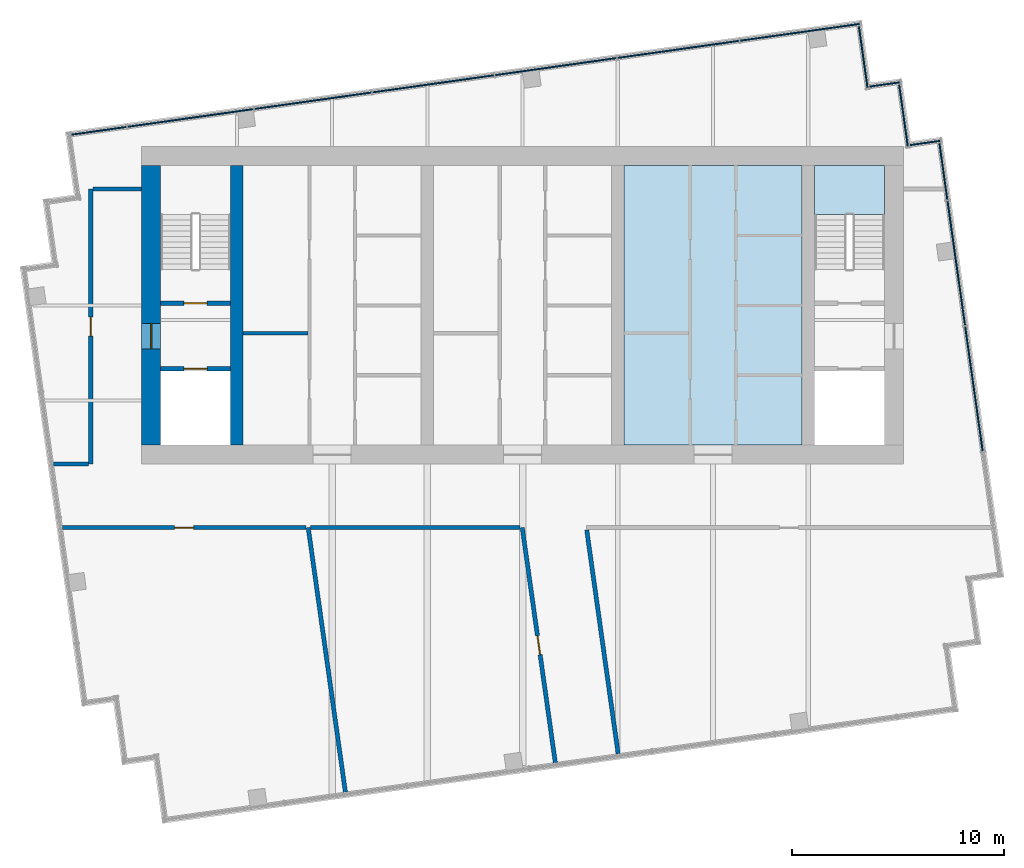
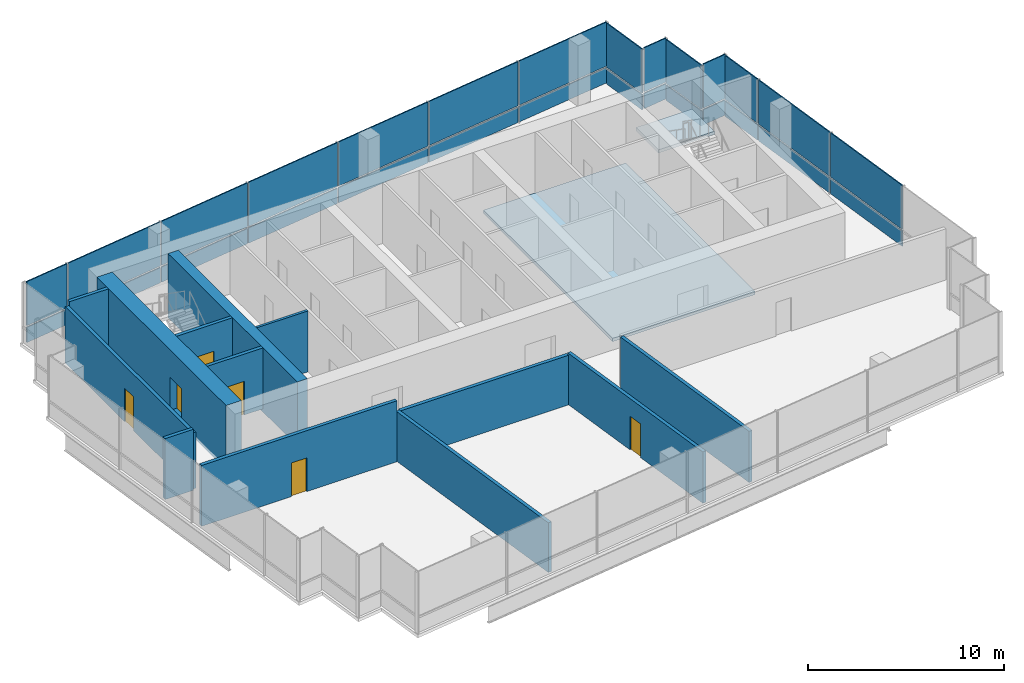
# One storey, part 7 of 10: 28 plates, 13 walls, 6 doors, 2 slabs, 6 openings, 7 elements without a shape of their own.
"""IFC4 building model written with IfcOpenShell, lengths in metres."""

from ifc_helpers import new_model, si_unit, direction, frame, frame_2d, origin, origin_2d, place, context, subcontext, project, spatial, polyline, rectangle, outline, extrude, material, layer, layer_set, type_object, element, fill, aggregate, save


model = new_model("IFC4")

# Units and contexts
model_context = context("Model", 3, precision=1e-05, world=origin(), true_north=direction((0.0, 1.0)))
body_context = subcontext(model_context, "Body", "Model", "MODEL_VIEW")
ifc_project = project(units=[si_unit("LENGTHUNIT", "METRE"), si_unit("AREAUNIT", "SQUARE_METRE"), si_unit("VOLUMEUNIT", "CUBIC_METRE"), si_unit("PLANEANGLEUNIT", "RADIAN"), si_unit("MASSUNIT", "GRAM", prefix="KILO")], contexts=[model_context])

# Site, building, storey
site_placement = place(None, origin())
site = spatial("IfcSite", under=ifc_project, at=site_placement, CompositionType="ELEMENT")
building_placement = place(site_placement, origin())
building = spatial("IfcBuilding", under=site, at=building_placement, Name="Rattan Terrace Tower", CompositionType="ELEMENT")
storey_placement = place(building_placement, frame((0.0, 0.0, 300.300048828125)))
storey = spatial("IfcBuildingStorey", under=building, at=storey_placement, Name="C03", CompositionType="ELEMENT", Elevation=300.300048828125)

# Stair, slab
ifc_material_1 = material(Name="Concrete C40/50", Category="concrete")
stair_type = type_object("IfcStairType", Name="Core exit stair 1500", PredefinedType="HALF_TURN_STAIR", material=ifc_material_1)
stair_placement = place(storey_placement, origin())
stair = element("IfcStair", 1, at=stair_placement, inside=storey, type_object=stair_type, Name="C03 exit stair 2", PredefinedType="HALF_TURN_STAIR")
ifc_material_2 = material(Name="Concrete C40/50", Category="concrete")
ifc_layer_1 = layer(ifc_material_2, 0.199951171875)
ifc_layer_set_1 = layer_set([ifc_layer_1], Name="Core exit stair landing")
slab_type_1 = type_object("IfcSlabType", Name="Core exit stair landing", PredefinedType="LANDING", material=ifc_layer_set_1)
slab_1_placement = place(storey_placement, frame((0.0, 0.0, 1.800048828125)))
slab_1 = element("IfcSlab", 2, at=slab_1_placement, type_object=slab_type_1, Name="S2 landing 1", PredefinedType="LANDING", context=body_context, shape_type="SweptSolid", body=[
    extrude(outline(polyline([(17.10009765625, 4.300048828125), (17.10009765625, 6.60009765625), (13.800048828125, 6.60009765625), (13.800048828125, 4.300048828125), (17.10009765625, 4.300048828125)])), origin(), (0.0, 0.0, 1.0), 0.199951171875),
])
aggregate(stair, [slab_1])

# Slab
ifc_material_3 = material(Name="Concrete C35/45", Category="concrete")
ifc_layer_2 = layer(ifc_material_3, 0.199951171875)
ifc_layer_set_2 = layer_set([ifc_layer_2], Name="Frame composite floor slab 200")
slab_type_2 = type_object("IfcSlabType", Name="Frame composite floor slab 200", PredefinedType="FLOOR", material=ifc_layer_set_2)
slab_2_placement = place(storey_placement, frame((0.0, 0.0, -0.199951171875)))
element("IfcSlab", 3, at=slab_2_placement, inside=storey, type_object=slab_type_2, Name="Floor slab", PredefinedType="FLOOR", context=body_context, shape_type="SweptSolid", body=[
    extrude(outline(polyline([(4.800048828125, -6.60009765625), (13.199951171875, -6.60009765625), (13.199951171875, 6.60009765625), (4.800048828125, 6.60009765625), (4.800048828125, -6.60009765625)])), origin(), (0.0, 0.0, 1.0), 0.199951171875),
])

# Curtain wall, plates
ifc_material_4 = material(Name="Aluminium and laminated glass", Category="aluminium")
ifc_layer_3 = layer(ifc_material_4, 0.239990234375)
ifc_layer_set_3 = layer_set([ifc_layer_3], Name="Lantern Stick Curtain Wall")
curtain_wall_type = type_object("IfcCurtainWallType", Name="Lantern Stick Curtain Wall", PredefinedType="NOTDEFINED", material=ifc_layer_set_3)
curtain_wall_1_placement = place(storey_placement, origin())
curtain_wall_1 = element("IfcCurtainWall", 4, at=curtain_wall_1_placement, inside=storey, type_object=curtain_wall_type, Name="Lantern curtain wall C03-11", PredefinedType="NOTDEFINED")
ifc_material_5 = material(Name="Laminated low-iron glass", Category="glass")
ifc_layer_4 = layer(ifc_material_5, 0.06591796875)
ifc_layer_set_4 = layer_set([ifc_layer_4], Name="Lantern CW Laminated Panel")
plate_type = type_object("IfcPlateType", Name="Lantern CW Laminated Panel", PredefinedType="CURTAIN_PANEL", material=ifc_layer_set_4)
plate_1_placement = place(storey_placement, frame((21.325927734375, -3.9482421875, 0.0), z_axis=(0.0, 0.0, 1.0), x_axis=(-0.139187707455, 0.990266015823, 0.0)))
plate_1 = element("IfcPlate", 5, at=plate_1_placement, type_object=plate_type, Name="Panel cwl-C03-011.2.1", PredefinedType="CURTAIN_PANEL", context=body_context, shape_type="SweptSolid", body=[
    extrude(rectangle(XDim=5.929931640625, YDim=0.06591796875, at=origin_2d()), origin(), (0.0, 0.0, 1.0), 0.949951171875),
])
plate_2_placement = place(storey_placement, frame((21.325927734375, -3.9482421875, 1.050048828125), z_axis=(0.0, 0.0, 1.0), x_axis=(-0.139187707455, 0.990266015823, 0.0)))
plate_2 = element("IfcPlate", 6, at=plate_2_placement, type_object=plate_type, Name="Panel cwl-C03-011.2.2", PredefinedType="CURTAIN_PANEL", context=body_context, shape_type="SweptSolid", body=[
    extrude(rectangle(XDim=5.929931640625, YDim=0.06591796875, at=origin_2d()), origin(), (0.0, 0.0, 1.0), 2.75),
])
plate_3_placement = place(storey_placement, frame((20.49072265625, 1.993408203125, 0.0), z_axis=(0.0, 0.0, 1.0), x_axis=(-0.139187707455, 0.990266015823, 0.0)))
plate_3 = element("IfcPlate", 7, at=plate_3_placement, type_object=plate_type, Name="Panel cwl-C03-011.3.1", PredefinedType="CURTAIN_PANEL", context=body_context, shape_type="SweptSolid", body=[
    extrude(rectangle(XDim=5.929931640625, YDim=0.06591796875, at=origin_2d()), origin(), (0.0, 0.0, 1.0), 0.949951171875),
])
plate_4_placement = place(storey_placement, frame((20.49072265625, 1.993408203125, 1.050048828125), z_axis=(0.0, 0.0, 1.0), x_axis=(-0.139187707455, 0.990266015823, 0.0)))
plate_4 = element("IfcPlate", 8, at=plate_4_placement, type_object=plate_type, Name="Panel cwl-C03-011.3.2", PredefinedType="CURTAIN_PANEL", context=body_context, shape_type="SweptSolid", body=[
    extrude(rectangle(XDim=5.929931640625, YDim=0.06591796875, at=origin_2d()), origin(), (0.0, 0.0, 1.0), 2.75),
])
plate_5_placement = place(storey_placement, frame((19.88232421875, 6.323486328125, 0.0), z_axis=(0.0, 0.0, 1.0), x_axis=(-0.139187707455, 0.990266015823, 0.0)))
plate_5 = element("IfcPlate", 9, at=plate_5_placement, type_object=plate_type, Name="Panel cwl-C03-011.4.1", PredefinedType="CURTAIN_PANEL", context=body_context, shape_type="SweptSolid", body=[
    extrude(rectangle(XDim=2.67529296875, YDim=0.06591796875, at=origin_2d()), origin(), (0.0, 0.0, 1.0), 0.949951171875),
])
plate_6_placement = place(storey_placement, frame((19.88232421875, 6.323486328125, 1.050048828125), z_axis=(0.0, 0.0, 1.0), x_axis=(-0.139187707455, 0.990266015823, 0.0)))
plate_6 = element("IfcPlate", 10, at=plate_6_placement, type_object=plate_type, Name="Panel cwl-C03-011.4.2", PredefinedType="CURTAIN_PANEL", context=body_context, shape_type="SweptSolid", body=[
    extrude(rectangle(XDim=2.67529296875, YDim=0.06591796875, at=origin_2d()), origin(), (0.0, 0.0, 1.0), 2.75),
])
aggregate(curtain_wall_1, [plate_1, plate_2, plate_3, plate_4, plate_5, plate_6])

curtain_wall_2_placement = place(storey_placement, origin())
curtain_wall_2 = element("IfcCurtainWall", 11, at=curtain_wall_2_placement, inside=storey, type_object=curtain_wall_type, Name="Lantern curtain wall C03-12", PredefinedType="NOTDEFINED")
plate_7_placement = place(storey_placement, frame((19.021484375, 7.67431640625, 0.0), z_axis=(0.0, 0.0, 1.0), x_axis=(-0.990227803001, -0.139459306479, 0.0)))
plate_7 = element("IfcPlate", 12, at=plate_7_placement, type_object=plate_type, Name="Panel cwl-C03-012.1.1", PredefinedType="CURTAIN_PANEL", context=body_context, shape_type="SweptSolid", body=[
    extrude(rectangle(XDim=1.428466796875, YDim=0.06591796875, at=origin_2d()), origin(), (0.0, 0.0, 1.0), 0.949951171875),
])
plate_8_placement = place(storey_placement, frame((19.021484375, 7.67431640625, 1.050048828125), z_axis=(0.0, 0.0, 1.0), x_axis=(-0.990227803001, -0.139459306479, 0.0)))
plate_8 = element("IfcPlate", 13, at=plate_8_placement, type_object=plate_type, Name="Panel cwl-C03-012.1.2", PredefinedType="CURTAIN_PANEL", context=body_context, shape_type="SweptSolid", body=[
    extrude(rectangle(XDim=1.428466796875, YDim=0.06591796875, at=origin_2d()), origin(), (0.0, 0.0, 1.0), 2.75),
])
aggregate(curtain_wall_2, [plate_7, plate_8])

curtain_wall_3_placement = place(storey_placement, origin())
curtain_wall_3 = element("IfcCurtainWall", 14, at=curtain_wall_3_placement, inside=storey, type_object=curtain_wall_type, Name="Lantern curtain wall C03-13", PredefinedType="NOTDEFINED")
plate_9_placement = place(storey_placement, frame((17.997802734375, 8.96044921875, 0.0), z_axis=(0.0, 0.0, 1.0), x_axis=(-0.139555918709, 0.990214191755, 0.0)))
plate_9 = element("IfcPlate", 15, at=plate_9_placement, type_object=plate_type, Name="Panel cwl-C03-013.1.1", PredefinedType="CURTAIN_PANEL", context=body_context, shape_type="SweptSolid", body=[
    extrude(rectangle(XDim=2.932373046875, YDim=0.06591796875, at=origin_2d()), origin(), (0.0, 0.0, 1.0), 0.949951171875),
])
plate_10_placement = place(storey_placement, frame((17.997802734375, 8.96044921875, 1.050048828125), z_axis=(0.0, 0.0, 1.0), x_axis=(-0.139555918709, 0.990214191755, 0.0)))
plate_10 = element("IfcPlate", 16, at=plate_10_placement, type_object=plate_type, Name="Panel cwl-C03-013.1.2", PredefinedType="CURTAIN_PANEL", context=body_context, shape_type="SweptSolid", body=[
    extrude(rectangle(XDim=2.932373046875, YDim=0.06591796875, at=origin_2d()), origin(), (0.0, 0.0, 1.0), 2.75),
])
aggregate(curtain_wall_3, [plate_9, plate_10])

curtain_wall_4_placement = place(storey_placement, origin())
curtain_wall_4 = element("IfcCurtainWall", 17, at=curtain_wall_4_placement, inside=storey, type_object=curtain_wall_type, Name="Lantern curtain wall C03-14", PredefinedType="NOTDEFINED")
plate_11_placement = place(storey_placement, frame((17.11865234375, 10.43896484375, 0.0), z_axis=(0.0, 0.0, 1.0), x_axis=(-0.990319742912, -0.13880492354, 0.0)))
plate_11 = element("IfcPlate", 18, at=plate_11_placement, type_object=plate_type, Name="Panel cwl-C03-014.1.1", PredefinedType="CURTAIN_PANEL", context=body_context, shape_type="SweptSolid", body=[
    extrude(rectangle(XDim=1.428466796875, YDim=0.06591796875, at=origin_2d()), origin(), (0.0, 0.0, 1.0), 0.949951171875),
])
plate_12_placement = place(storey_placement, frame((17.11865234375, 10.43896484375, 1.050048828125), z_axis=(0.0, 0.0, 1.0), x_axis=(-0.990319742912, -0.13880492354, 0.0)))
plate_12 = element("IfcPlate", 19, at=plate_12_placement, type_object=plate_type, Name="Panel cwl-C03-014.1.2", PredefinedType="CURTAIN_PANEL", context=body_context, shape_type="SweptSolid", body=[
    extrude(rectangle(XDim=1.428466796875, YDim=0.06591796875, at=origin_2d()), origin(), (0.0, 0.0, 1.0), 2.75),
])
aggregate(curtain_wall_4, [plate_11, plate_12])

curtain_wall_5_placement = place(storey_placement, origin())
curtain_wall_5 = element("IfcCurtainWall", 20, at=curtain_wall_5_placement, inside=storey, type_object=curtain_wall_type, Name="Lantern curtain wall C03-15", PredefinedType="NOTDEFINED")
plate_13_placement = place(storey_placement, frame((16.09521484375, 11.723388671875, 0.0), z_axis=(0.0, 0.0, 1.0), x_axis=(-0.139413247769, 0.990234288614, 0.0)))
plate_13 = element("IfcPlate", 21, at=plate_13_placement, type_object=plate_type, Name="Panel cwl-C03-015.1.1", PredefinedType="CURTAIN_PANEL", context=body_context, shape_type="SweptSolid", body=[
    extrude(rectangle(XDim=2.92822265625, YDim=0.06591796875, at=origin_2d()), origin(), (0.0, 0.0, 1.0), 0.949951171875),
])
plate_14_placement = place(storey_placement, frame((16.09521484375, 11.723388671875, 1.050048828125), z_axis=(0.0, 0.0, 1.0), x_axis=(-0.139413247769, 0.990234288614, 0.0)))
plate_14 = element("IfcPlate", 22, at=plate_14_placement, type_object=plate_type, Name="Panel cwl-C03-015.1.2", PredefinedType="CURTAIN_PANEL", context=body_context, shape_type="SweptSolid", body=[
    extrude(rectangle(XDim=2.92822265625, YDim=0.06591796875, at=origin_2d()), origin(), (0.0, 0.0, 1.0), 2.75),
])
aggregate(curtain_wall_5, [plate_13, plate_14])

curtain_wall_6_placement = place(storey_placement, origin())
curtain_wall_6 = element("IfcCurtainWall", 23, at=curtain_wall_6_placement, inside=storey, type_object=curtain_wall_type, Name="Lantern curtain wall C03-16", PredefinedType="NOTDEFINED")
plate_15_placement = place(storey_placement, frame((13.10595703125, 12.90283203125, 0.0), z_axis=(0.0, 0.0, 1.0), x_axis=(-0.990266952226, -0.13918104515, 0.0)))
plate_15 = element("IfcPlate", 24, at=plate_15_placement, type_object=plate_type, Name="Panel cwl-C03-016.1.1", PredefinedType="CURTAIN_PANEL", context=body_context, shape_type="SweptSolid", body=[
    extrude(rectangle(XDim=5.69091796875, YDim=0.06591796875, at=origin_2d()), origin(), (0.0, 0.0, 1.0), 0.949951171875),
])
plate_16_placement = place(storey_placement, frame((13.10595703125, 12.90283203125, 1.050048828125), z_axis=(0.0, 0.0, 1.0), x_axis=(-0.990266952226, -0.13918104515, 0.0)))
plate_16 = element("IfcPlate", 25, at=plate_16_placement, type_object=plate_type, Name="Panel cwl-C03-016.1.2", PredefinedType="CURTAIN_PANEL", context=body_context, shape_type="SweptSolid", body=[
    extrude(rectangle(XDim=5.69091796875, YDim=0.06591796875, at=origin_2d()), origin(), (0.0, 0.0, 1.0), 2.75),
])
plate_17_placement = place(storey_placement, frame((7.359130859375, 12.09521484375, 0.0), z_axis=(0.0, 0.0, 1.0), x_axis=(-0.990266952226, -0.13918104515, 0.0)))
plate_17 = element("IfcPlate", 26, at=plate_17_placement, type_object=plate_type, Name="Panel cwl-C03-016.2.1", PredefinedType="CURTAIN_PANEL", context=body_context, shape_type="SweptSolid", body=[
    extrude(rectangle(XDim=5.77587890625, YDim=0.06591796875, at=origin_2d()), origin(), (0.0, 0.0, 1.0), 0.949951171875),
])
plate_18_placement = place(storey_placement, frame((7.359130859375, 12.09521484375, 1.050048828125), z_axis=(0.0, 0.0, 1.0), x_axis=(-0.990266952226, -0.13918104515, 0.0)))
plate_18 = element("IfcPlate", 27, at=plate_18_placement, type_object=plate_type, Name="Panel cwl-C03-016.2.2", PredefinedType="CURTAIN_PANEL", context=body_context, shape_type="SweptSolid", body=[
    extrude(rectangle(XDim=5.77587890625, YDim=0.06591796875, at=origin_2d()), origin(), (0.0, 0.0, 1.0), 2.75),
])
plate_19_placement = place(storey_placement, frame((1.570068359375, 11.281494140625, 0.0), z_axis=(0.0, 0.0, 1.0), x_axis=(-0.990266952226, -0.13918104515, 0.0)))
plate_19 = element("IfcPlate", 28, at=plate_19_placement, type_object=plate_type, Name="Panel cwl-C03-016.3.1", PredefinedType="CURTAIN_PANEL", context=body_context, shape_type="SweptSolid", body=[
    extrude(rectangle(XDim=5.77587890625, YDim=0.06591796875, at=origin_2d()), origin(), (0.0, 0.0, 1.0), 0.949951171875),
])
plate_20_placement = place(storey_placement, frame((1.570068359375, 11.281494140625, 1.050048828125), z_axis=(0.0, 0.0, 1.0), x_axis=(-0.990266952226, -0.13918104515, 0.0)))
plate_20 = element("IfcPlate", 29, at=plate_20_placement, type_object=plate_type, Name="Panel cwl-C03-016.3.2", PredefinedType="CURTAIN_PANEL", context=body_context, shape_type="SweptSolid", body=[
    extrude(rectangle(XDim=5.77587890625, YDim=0.06591796875, at=origin_2d()), origin(), (0.0, 0.0, 1.0), 2.75),
])
plate_21_placement = place(storey_placement, frame((-4.21923828125, 10.4677734375, 0.0), z_axis=(0.0, 0.0, 1.0), x_axis=(-0.990266952226, -0.13918104515, 0.0)))
plate_21 = element("IfcPlate", 30, at=plate_21_placement, type_object=plate_type, Name="Panel cwl-C03-016.4.1", PredefinedType="CURTAIN_PANEL", context=body_context, shape_type="SweptSolid", body=[
    extrude(rectangle(XDim=5.77587890625, YDim=0.06591796875, at=origin_2d()), origin(), (0.0, 0.0, 1.0), 0.949951171875),
])
plate_22_placement = place(storey_placement, frame((-4.21923828125, 10.4677734375, 1.050048828125), z_axis=(0.0, 0.0, 1.0), x_axis=(-0.990266952226, -0.13918104515, 0.0)))
plate_22 = element("IfcPlate", 31, at=plate_22_placement, type_object=plate_type, Name="Panel cwl-C03-016.4.2", PredefinedType="CURTAIN_PANEL", context=body_context, shape_type="SweptSolid", body=[
    extrude(rectangle(XDim=5.77587890625, YDim=0.06591796875, at=origin_2d()), origin(), (0.0, 0.0, 1.0), 2.75),
])
plate_23_placement = place(storey_placement, frame((-9.900634765625, 9.66943359375, 0.0), z_axis=(0.0, 0.0, 1.0), x_axis=(-0.990266952226, -0.13918104515, 0.0)))
plate_23 = element("IfcPlate", 32, at=plate_23_placement, type_object=plate_type, Name="Panel cwl-C03-016.5.1", PredefinedType="CURTAIN_PANEL", context=body_context, shape_type="SweptSolid", body=[
    extrude(rectangle(XDim=5.55859375, YDim=0.06591796875, at=origin_2d()), origin(), (0.0, 0.0, 1.0), 0.949951171875),
])
plate_24_placement = place(storey_placement, frame((-9.900634765625, 9.66943359375, 1.050048828125), z_axis=(0.0, 0.0, 1.0), x_axis=(-0.990266952226, -0.13918104515, 0.0)))
plate_24 = element("IfcPlate", 33, at=plate_24_placement, type_object=plate_type, Name="Panel cwl-C03-016.5.2", PredefinedType="CURTAIN_PANEL", context=body_context, shape_type="SweptSolid", body=[
    extrude(rectangle(XDim=5.55859375, YDim=0.06591796875, at=origin_2d()), origin(), (0.0, 0.0, 1.0), 2.75),
])
plate_25_placement = place(storey_placement, frame((-15.689697265625, 8.855712890625, 0.0), z_axis=(0.0, 0.0, 1.0), x_axis=(-0.990266952226, -0.13918104515, 0.0)))
plate_25 = element("IfcPlate", 34, at=plate_25_placement, type_object=plate_type, Name="Panel cwl-C03-016.6.1", PredefinedType="CURTAIN_PANEL", context=body_context, shape_type="SweptSolid", body=[
    extrude(rectangle(XDim=5.993408203125, YDim=0.06591796875, at=origin_2d()), origin(), (0.0, 0.0, 1.0), 0.949951171875),
])
plate_26_placement = place(storey_placement, frame((-15.689697265625, 8.855712890625, 1.050048828125), z_axis=(0.0, 0.0, 1.0), x_axis=(-0.990266952226, -0.13918104515, 0.0)))
plate_26 = element("IfcPlate", 35, at=plate_26_placement, type_object=plate_type, Name="Panel cwl-C03-016.6.2", PredefinedType="CURTAIN_PANEL", context=body_context, shape_type="SweptSolid", body=[
    extrude(rectangle(XDim=5.993408203125, YDim=0.06591796875, at=origin_2d()), origin(), (0.0, 0.0, 1.0), 2.75),
])
plate_27_placement = place(storey_placement, frame((-20.013916015625, 8.248046875, 0.0), z_axis=(0.0, 0.0, 1.0), x_axis=(-0.990266952226, -0.13918104515, 0.0)))
plate_27 = element("IfcPlate", 36, at=plate_27_placement, type_object=plate_type, Name="Panel cwl-C03-016.7.1", PredefinedType="CURTAIN_PANEL", context=body_context, shape_type="SweptSolid", body=[
    extrude(rectangle(XDim=2.599853515625, YDim=0.06591796875, at=origin_2d()), origin(), (0.0, 0.0, 1.0), 0.949951171875),
])
plate_28_placement = place(storey_placement, frame((-20.013916015625, 8.248046875, 1.050048828125), z_axis=(0.0, 0.0, 1.0), x_axis=(-0.990266952226, -0.13918104515, 0.0)))
plate_28 = element("IfcPlate", 37, at=plate_28_placement, type_object=plate_type, Name="Panel cwl-C03-016.7.2", PredefinedType="CURTAIN_PANEL", context=body_context, shape_type="SweptSolid", body=[
    extrude(rectangle(XDim=2.599853515625, YDim=0.06591796875, at=origin_2d()), origin(), (0.0, 0.0, 1.0), 2.75),
])
aggregate(curtain_wall_6, [plate_15, plate_16, plate_17, plate_18, plate_19, plate_20, plate_21, plate_22, plate_23, plate_24, plate_25, plate_26, plate_27, plate_28])

# Wall
ifc_material_6 = material(Name="Gypsum board partition")
ifc_layer_5 = layer(ifc_material_6, 0.14990234375)
ifc_layer_set_5 = layer_set([ifc_layer_5], Name="Core partition 150")
wall_type_1 = type_object("IfcWallType", Name="Core partition 150", PredefinedType="PARTITIONING", material=ifc_layer_set_5)
wall_1_placement = place(storey_placement, frame((-13.199951171875, -1.320068359375, 0.0), z_axis=(0.0, 0.0, 1.0), x_axis=(1.0, 0.0, 0.0)))
element("IfcWall", 38, at=wall_1_placement, inside=storey, type_object=wall_type_1, Name="Core room wall", PredefinedType="PARTITIONING", context=body_context, shape_type="SweptSolid", body=[
    extrude(rectangle(XDim=3.050048828125, YDim=0.14990234375, at=frame_2d((1.52490234375, 0.0))), origin(), (0.0, 0.0, 1.0), 3.800048828125),
])

# Wall, opening, door
ifc_material_7 = material(Name="Gypsum board partition")
ifc_layer_6 = layer(ifc_material_7, 0.199951171875)
ifc_layer_set_6 = layer_set([ifc_layer_6], Name="Core partition 200")
wall_type_2 = type_object("IfcWallType", Name="Core partition 200", PredefinedType="PARTITIONING", material=ifc_layer_set_6)
wall_2_placement = place(storey_placement, frame((-17.10009765625, -3.0, 0.0), z_axis=(0.0, 0.0, 1.0), x_axis=(1.0, 0.0, 0.0)))
wall_2 = element("IfcWall", 39, at=wall_2_placement, inside=storey, type_object=wall_type_2, Name="Fire-fighting lobby wall", PredefinedType="PARTITIONING", context=body_context, shape_type="SweptSolid", body=[
    extrude(rectangle(XDim=3.300048828125, YDim=0.199951171875, at=frame_2d((1.64990234375, 0.0))), origin(), (0.0, 0.0, 1.0), 3.800048828125),
])
opening_1_placement = place(wall_2_placement, frame((1.10009765625, 0.0, 0.0)))
opening_1 = element("IfcOpeningElement", 40, at=opening_1_placement, cuts=wall_2, Name="Opening C03-LD-FF1", PredefinedType="OPENING", context=body_context, shape_type="SweptSolid", body=[
    extrude(rectangle(XDim=1.10009765625, YDim=2.10009765625, at=frame_2d((0.550048828125, 1.050048828125))), frame((0.0, 0.110595703125, 0.0), z_axis=(0.0, -1.0, 0.0), x_axis=(1.0, 0.0, 0.0)), (0.0, 0.0, 1.0), 0.220947265625),
])
ifc_material_8 = material(Name="Brushed stainless landing door panel")
door_type_1 = type_object("IfcDoorType", Name="Core lift landing door 1100", OperationType="DOUBLE_DOOR_SLIDING", PredefinedType="DOOR", material=ifc_material_8)
door_1_placement = place(opening_1_placement, origin())
door_1 = element("IfcDoor", 41, at=door_1_placement, inside=storey, type_object=door_type_1, Name="Door C03-LD-FF1", OperationType="DOUBLE_DOOR_SLIDING", OverallHeight=2.10009765625, OverallWidth=1.10009765625, PredefinedType="DOOR", context=body_context, shape_type="SweptSolid", body=[
    extrude(rectangle(XDim=1.10009765625, YDim=2.10009765625, at=frame_2d((0.550048828125, 1.050048828125))), frame((0.0, 0.02490234375, 0.0), z_axis=(0.0, -1.0, 0.0), x_axis=(1.0, 0.0, 0.0)), (0.0, 0.0, 1.0), 0.050048828125),
])
fill(opening_1, door_1)

wall_3_placement = place(storey_placement, frame((-17.10009765625, 0.10009765625, 0.0), z_axis=(0.0, 0.0, 1.0), x_axis=(1.0, 0.0, 0.0)))
wall_3 = element("IfcWall", 42, at=wall_3_placement, inside=storey, type_object=wall_type_2, Name="Stair enclosure wall", PredefinedType="PARTITIONING", context=body_context, shape_type="SweptSolid", body=[
    extrude(rectangle(XDim=3.300048828125, YDim=0.199951171875, at=frame_2d((1.64990234375, 0.0))), origin(), (0.0, 0.0, 1.0), 3.800048828125),
])
opening_2_placement = place(wall_3_placement, frame((1.10009765625, 0.0, 0.0)))
opening_2 = element("IfcOpeningElement", 43, at=opening_2_placement, cuts=wall_3, Name="Opening C03-D002", PredefinedType="OPENING", context=body_context, shape_type="SweptSolid", body=[
    extrude(rectangle(XDim=1.10009765625, YDim=2.10009765625, at=frame_2d((0.550048828125, 1.050048828125))), frame((0.0, 0.110595703125, 0.0), z_axis=(0.0, -1.0, 0.0), x_axis=(1.0, 0.0, 0.0)), (0.0, 0.0, 1.0), 0.220947265625),
])
ifc_material_9 = material(Name="Hollow-metal fire door leaf")
door_type_2 = type_object("IfcDoorType", Name="Core stair door 1100", OperationType="NOTDEFINED", PredefinedType="DOOR", material=ifc_material_9)
door_2_placement = place(opening_2_placement, origin())
door_2 = element("IfcDoor", 44, at=door_2_placement, inside=storey, type_object=door_type_2, Name="Door C03-D002", OperationType="SINGLE_SWING_RIGHT", OverallHeight=2.10009765625, OverallWidth=1.10009765625, PredefinedType="DOOR", context=body_context, shape_type="SweptSolid", body=[
    extrude(rectangle(XDim=1.10009765625, YDim=2.10009765625, at=frame_2d((0.550048828125, 1.050048828125))), frame((0.0, 0.02490234375, 0.0), z_axis=(0.0, -1.0, 0.0), x_axis=(1.0, 0.0, 0.0)), (0.0, 0.0, 1.0), 0.050048828125),
])
fill(opening_2, door_2)

ifc_material_10 = material(Name="Concrete C50/60", Category="concrete")
ifc_layer_7 = layer(ifc_material_10, 0.89990234375)
ifc_layer_set_7 = layer_set([ifc_layer_7], Name="Core ring wall 900 C50/60")
wall_type_3 = type_object("IfcWallType", Name="Core ring wall 900 C50/60", PredefinedType="SHEAR", material=ifc_layer_set_7)
wall_4_placement = place(storey_placement, frame((-17.550048828125, -6.60009765625, -0.199951171875), z_axis=(0.0, 0.0, 1.0), x_axis=(0.0, 1.0, 0.0)))
wall_4 = element("IfcWall", 45, at=wall_4_placement, inside=storey, type_object=wall_type_3, Name="Rear core wall west", PredefinedType="SHEAR", context=body_context, shape_type="SweptSolid", body=[
    extrude(rectangle(XDim=13.2001953125, YDim=0.89990234375, at=frame_2d((6.60009765625, 0.0))), origin(), (0.0, 0.0, 1.0), 4.0),
])
opening_3_placement = place(wall_4_placement, frame((4.550048828125, 0.0, 0.199951171875)))
opening_3 = element("IfcOpeningElement", 46, at=opening_3_placement, cuts=wall_4, Name="Opening C03-D001", PredefinedType="OPENING", context=body_context, shape_type="SweptSolid", body=[
    extrude(rectangle(XDim=1.199951171875, YDim=2.10009765625, at=frame_2d((0.60009765625, 1.050048828125))), frame((0.0, 0.46044921875, 0.0), z_axis=(0.0, -1.0, 0.0), x_axis=(1.0, 0.0, 0.0)), (0.0, 0.0, 1.0), 0.9208984375),
])
ifc_material_11 = material(Name="Hollow-metal fire door leaf")
door_type_3 = type_object("IfcDoorType", Name="Core fire-fighting lobby door 1200", OperationType="NOTDEFINED", PredefinedType="DOOR", material=ifc_material_11)
door_3_placement = place(opening_3_placement, origin())
door_3 = element("IfcDoor", 47, at=door_3_placement, inside=storey, type_object=door_type_3, Name="Door C03-D001", OperationType="SINGLE_SWING_LEFT", OverallHeight=2.10009765625, OverallWidth=1.199951171875, PredefinedType="DOOR", context=body_context, shape_type="SweptSolid", body=[
    extrude(rectangle(XDim=1.199951171875, YDim=2.10009765625, at=frame_2d((0.60009765625, 1.050048828125))), frame((0.0, 0.02490234375, 0.0), z_axis=(0.0, -1.0, 0.0), x_axis=(1.0, 0.0, 0.0)), (0.0, 0.0, 1.0), 0.050048828125),
])
fill(opening_3, door_3)

# Wall
ifc_material_12 = material(Name="Concrete C50/60", Category="concrete")
ifc_layer_8 = layer(ifc_material_12, 0.60009765625)
ifc_layer_set_8 = layer_set([ifc_layer_8], Name="Core spine wall 600 C50/60")
wall_type_4 = type_object("IfcWallType", Name="Core spine wall 600 C50/60", PredefinedType="SHEAR", material=ifc_layer_set_8)
wall_5_placement = place(storey_placement, frame((-13.5, -6.60009765625, -0.199951171875), z_axis=(0.0, 0.0, 1.0), x_axis=(0.0, 1.0, 0.0)))
element("IfcWall", 48, at=wall_5_placement, inside=storey, type_object=wall_type_4, Name="Core spine wall 1", PredefinedType="SHEAR", context=body_context, shape_type="SweptSolid", body=[
    extrude(rectangle(XDim=13.2001953125, YDim=0.60009765625, at=frame_2d((6.60009765625, 0.0))), origin(), (0.0, 0.0, 1.0), 4.0),
])

# Wall, opening, door
ifc_material_13 = material(Name="Concrete block wall, plastered", Category="concrete")
ifc_layer_9 = layer(ifc_material_13, 0.199951171875)
ifc_layer_set_9 = layer_set([ifc_layer_9], Name="Floors Plant Wall 200")
wall_type_5 = type_object("IfcWallType", Name="Floors Plant Wall 200", PredefinedType="PARTITIONING", material=ifc_layer_set_9)
wall_6_placement = place(storey_placement, frame((-10.22802734375, -10.5, 0.0), z_axis=(0.0, 0.0, 1.0), x_axis=(-1.0, 0.0, 0.0)))
wall_6 = element("IfcWall", 49, at=wall_6_placement, inside=storey, type_object=wall_type_5, Name="pt-C03-001", PredefinedType="PARTITIONING", context=body_context, shape_type="SweptSolid", body=[
    extrude(rectangle(XDim=11.52197265625, YDim=0.199951171875, at=frame_2d((5.760986328125, 0.0))), origin(), (0.0, 0.0, 1.0), 3.800048828125),
])
opening_4_placement = place(wall_6_placement, frame((5.31103515625, 0.0, 0.0)))
opening_4 = element("IfcOpeningElement", 50, at=opening_4_placement, cuts=wall_6, Name="Opening C03-D100", PredefinedType="OPENING", context=body_context, shape_type="SweptSolid", body=[
    extrude(rectangle(XDim=0.89990234375, YDim=2.10009765625, at=frame_2d((0.449951171875, 1.050048828125))), frame((0.0, 0.110595703125, 0.0), z_axis=(0.0, -1.0, 0.0), x_axis=(1.0, 0.0, 0.0)), (0.0, 0.0, 1.0), 0.220947265625),
])
ifc_material_14 = material(Name="Steel fire door set", Category="steel")
door_type_4 = type_object("IfcDoorType", Name="Floors Fire Door FD60 900x2100", OperationType="NOTDEFINED", PredefinedType="DOOR", material=ifc_material_14)
door_4_placement = place(opening_4_placement, origin())
door_4 = element("IfcDoor", 51, at=door_4_placement, inside=storey, type_object=door_type_4, Name="d-C03-100", OperationType="SINGLE_SWING_LEFT", OverallHeight=2.10009765625, OverallWidth=0.89990234375, PredefinedType="DOOR", context=body_context, shape_type="SweptSolid", body=[
    extrude(rectangle(XDim=0.89990234375, YDim=2.10009765625, at=frame_2d((0.449951171875, 1.050048828125))), frame((0.0, 0.02490234375, 0.0), z_axis=(0.0, -1.0, 0.0), x_axis=(1.0, 0.0, 0.0)), (0.0, 0.0, 1.0), 0.050048828125),
])
fill(opening_4, door_4)

# Wall
wall_7_placement = place(storey_placement, frame((-0.114013671875, -10.5, 0.0), z_axis=(0.0, 0.0, 1.0), x_axis=(-1.0, 0.0, 0.0)))
element("IfcWall", 52, at=wall_7_placement, inside=storey, type_object=wall_type_5, Name="pt-C03-002", PredefinedType="PARTITIONING", context=body_context, shape_type="SweptSolid", body=[
    extrude(rectangle(XDim=9.89990234375, YDim=0.199951171875, at=frame_2d((4.949951171875, 0.0))), origin(), (0.0, 0.0, 1.0), 3.099853515625),
])

# Wall, opening, door
wall_8_placement = place(storey_placement, frame((1.547119140625, -21.611083984375, 0.0), z_axis=(0.0, 0.0, 1.0), x_axis=(-0.139212491044, 0.990262532027, 0.0)))
wall_8 = element("IfcWall", 53, at=wall_8_placement, inside=storey, type_object=wall_type_5, Name="pt-C03-003", PredefinedType="PARTITIONING", context=body_context, shape_type="SweptSolid", body=[
    extrude(rectangle(XDim=11.220458984375, YDim=0.199951171875, at=frame_2d((5.6103515625, 0.0))), origin(), (0.0, 0.0, 1.0), 3.199951171875),
])
opening_5_placement = place(wall_8_placement, frame((5.159912109375, 0.0, 0.0)))
opening_5 = element("IfcOpeningElement", 54, at=opening_5_placement, cuts=wall_8, Name="Opening C03-D101", PredefinedType="OPENING", context=body_context, shape_type="SweptSolid", body=[
    extrude(rectangle(XDim=0.89990234375, YDim=2.10009765625, at=frame_2d((0.449951171875, 1.050048828125))), frame((0.0, 0.110595703125, 0.0), z_axis=(0.0, -1.0, 0.0), x_axis=(1.0, 0.0, 0.0)), (0.0, 0.0, 1.0), 0.220947265625),
])
door_5_placement = place(opening_5_placement, origin())
door_5 = element("IfcDoor", 55, at=door_5_placement, inside=storey, type_object=door_type_4, Name="d-C03-101", OperationType="SINGLE_SWING_RIGHT", OverallHeight=2.10009765625, OverallWidth=0.89990234375, PredefinedType="DOOR", context=body_context, shape_type="SweptSolid", body=[
    extrude(rectangle(XDim=0.89990234375, YDim=2.10009765625, at=frame_2d((0.449951171875, 1.050048828125))), frame((0.0, 0.02490234375, 0.0), z_axis=(0.0, -1.0, 0.0), x_axis=(1.0, 0.0, 0.0)), (0.0, 0.0, 1.0), 0.050048828125),
])
fill(opening_5, door_5)

# Walls
wall_9_placement = place(storey_placement, frame((3.031005859375, -10.614013671875, 0.0), z_axis=(0.0, 0.0, 1.0), x_axis=(0.139107763668, -0.990277249101, 0.0)))
element("IfcWall", 56, at=wall_9_placement, inside=storey, type_object=wall_type_5, Name="pt-C03-004", PredefinedType="PARTITIONING", context=body_context, shape_type="SweptSolid", body=[
    extrude(rectangle(XDim=10.682861328125, YDim=0.199951171875, at=frame_2d((5.34130859375, 0.0))), origin(), (0.0, 0.0, 1.0), 3.18994140625),
])
wall_10_placement = place(storey_placement, frame((-22.1708984375, -7.5009765625, 0.0), z_axis=(0.0, 0.0, 1.0), x_axis=(1.0, 0.0, 0.0)))
element("IfcWall", 57, at=wall_10_placement, inside=storey, type_object=wall_type_5, Name="pt-C03-006", PredefinedType="PARTITIONING", context=body_context, shape_type="SweptSolid", body=[
    extrude(rectangle(XDim=1.6708984375, YDim=0.199951171875, at=frame_2d((0.83544921875, 0.0))), origin(), (0.0, 0.0, 1.0), 3.800048828125),
])

# Wall, opening, door
wall_11_placement = place(storey_placement, frame((-20.39990234375, -7.5, 0.0), z_axis=(0.0, 0.0, 1.0), x_axis=(0.0, 1.0, 0.0)))
wall_11 = element("IfcWall", 58, at=wall_11_placement, inside=storey, type_object=wall_type_5, Name="pt-C03-007", PredefinedType="PARTITIONING", context=body_context, shape_type="SweptSolid", body=[
    extrude(rectangle(XDim=13.0, YDim=0.199951171875, at=frame_2d((6.5, 0.0))), origin(), (0.0, 0.0, 1.0), 3.5),
])
opening_6_placement = place(wall_11_placement, frame((6.050048828125, 0.0, 0.0)))
opening_6 = element("IfcOpeningElement", 59, at=opening_6_placement, cuts=wall_11, Name="Opening C03-D103", PredefinedType="OPENING", context=body_context, shape_type="SweptSolid", body=[
    extrude(rectangle(XDim=0.89990234375, YDim=2.10009765625, at=frame_2d((0.449951171875, 1.050048828125))), frame((0.0, 0.110595703125, 0.0), z_axis=(0.0, -1.0, 0.0), x_axis=(1.0, 0.0, 0.0)), (0.0, 0.0, 1.0), 0.220947265625),
])
door_6_placement = place(opening_6_placement, origin())
door_6 = element("IfcDoor", 60, at=door_6_placement, inside=storey, type_object=door_type_4, Name="d-C03-103", OperationType="SINGLE_SWING_RIGHT", OverallHeight=2.10009765625, OverallWidth=0.89990234375, PredefinedType="DOOR", context=body_context, shape_type="SweptSolid", body=[
    extrude(rectangle(XDim=0.89990234375, YDim=2.10009765625, at=frame_2d((0.449951171875, 1.050048828125))), frame((0.0, 0.02490234375, 0.0), z_axis=(0.0, -1.0, 0.0), x_axis=(1.0, 0.0, 0.0)), (0.0, 0.0, 1.0), 0.050048828125),
])
fill(opening_6, door_6)

# Walls
wall_12_placement = place(storey_placement, frame((-20.300048828125, 5.5009765625, 0.0), z_axis=(0.0, 0.0, 1.0), x_axis=(1.0, 0.0, 0.0)))
element("IfcWall", 61, at=wall_12_placement, inside=storey, type_object=wall_type_5, Name="pt-C03-008", PredefinedType="PARTITIONING", context=body_context, shape_type="SweptSolid", body=[
    extrude(rectangle(XDim=2.300048828125, YDim=0.199951171875, at=frame_2d((1.14990234375, 0.0))), origin(), (0.0, 0.0, 1.0), 3.800048828125),
])
wall_13_placement = place(storey_placement, frame((-10.12890625, -10.5, 0.0), z_axis=(0.0, 0.0, 1.0), x_axis=(0.139201510054, -0.990264075688, 0.0)))
element("IfcWall", 62, at=wall_13_placement, inside=storey, type_object=wall_type_5, Name="pt-C03-010", PredefinedType="PARTITIONING", context=body_context, shape_type="SweptSolid", body=[
    extrude(rectangle(XDim=12.6279296875, YDim=0.199951171875, at=frame_2d((6.31396484375, 0.0))), origin(), (0.0, 0.0, 1.0), 3.099853515625),
])

save(model, "model.ifc")
